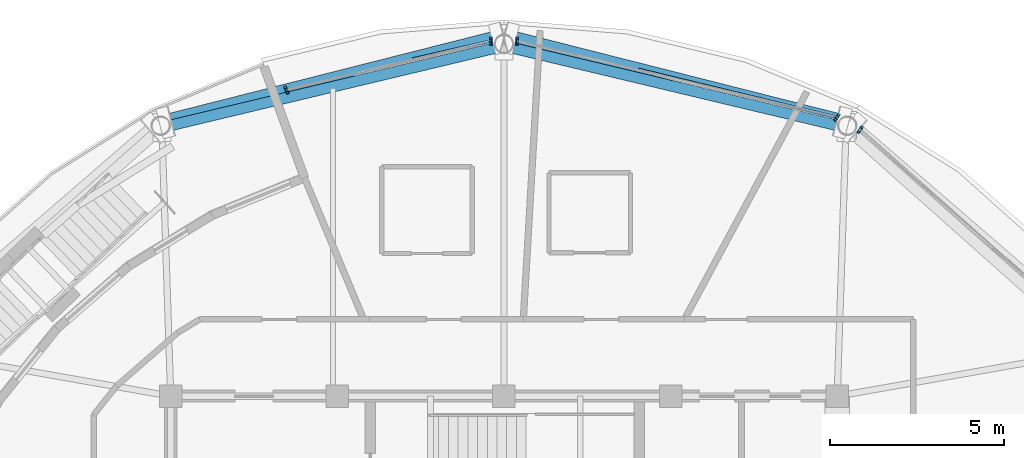
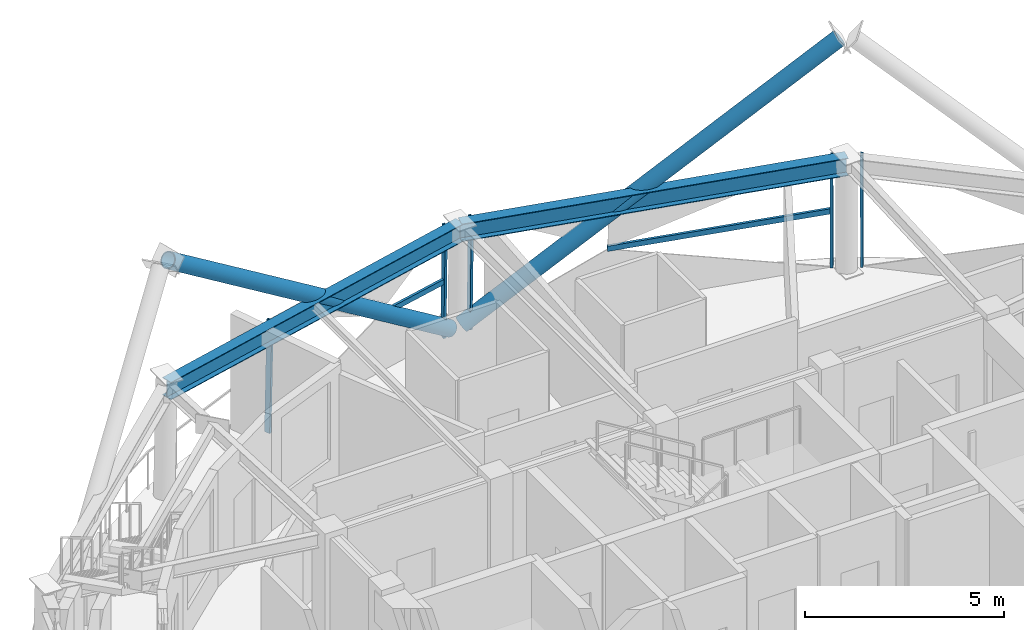
# One storey, part 5 of 16: 9 members, 2 beams, 3 elements without a shape of their own.
"""IFC4 building model written with IfcOpenShell, lengths in metres."""

import ifcopenshell
import ifcopenshell.guid

model = None  # the IFC model being written
_history = None  # IfcOwnerHistory: only IFC2X3 demands one
_inside = {}  # id of a spatial element -> (the spatial element, [elements in it])
_under = {}  # id of a project, library or spatial element -> (it, [spatial elements below it])
_declared = {}  # id of a project -> (the project, [libraries it declares])
_typed = {}  # id of a type object -> (the type object, [elements of that type])
_made_of = {}  # id of a material, layer set ... -> (it, [elements and type objects made of it])


def new_model(schema):
    """Start an empty IFC model of exactly this schema.

    Asked for "IFC4X3", IfcOpenShell would pick the latest addendum, in which some entities
    have other attributes; the version numbers below select the first issue.
    IFC2X3 requires an IfcOwnerHistory on every rooted entity: one is made here for all.
    """
    global model, _history
    if schema == "IFC4X3":
        model = ifcopenshell.file(schema_version=(4, 3, 0, 0))
    else:
        model = ifcopenshell.file(schema=schema)
    _inside.clear()
    _under.clear()
    _declared.clear()
    _typed.clear()
    _made_of.clear()
    _history = None
    if model.schema == "IFC2X3":
        org = make("IfcOrganization", Name="unknown")
        user = make(
            "IfcPersonAndOrganization",
            ThePerson=make("IfcPerson", FamilyName="unknown"),
            TheOrganization=org,
        )
        app = make(
            "IfcApplication",
            ApplicationDeveloper=org,
            Version="unknown",
            ApplicationFullName="unknown",
            ApplicationIdentifier="unknown",
        )
        _history = make(
            "IfcOwnerHistory",
            OwningUser=user,
            OwningApplication=app,
            ChangeAction="ADDED",
            CreationDate=0,
        )
    return model


def make(cls, **values):
    """One entity of the class cls with the attributes given. An attribute that is None is left unset."""
    return model.create_entity(
        cls, **{name: value for name, value in values.items() if value is not None}
    )


def rooted(cls, **values):
    """An entity with a GlobalId (a new one), such as an element, a storey or a relation."""
    return make(cls, GlobalId=ifcopenshell.guid.new(), OwnerHistory=_history, **values)


def si_unit(unit_type, name, prefix=None):
    """IfcSIUnit, for example si_unit("LENGTHUNIT", "METRE", prefix="MILLI")."""
    return make("IfcSIUnit", UnitType=unit_type, Prefix=prefix, Name=name)


def assignment(units):
    """IfcUnitAssignment: the units of a project."""
    return None if units is None else make("IfcUnitAssignment", Units=units)


def point(xyz):
    """IfcCartesianPoint."""
    return None if xyz is None else make("IfcCartesianPoint", Coordinates=xyz)


def direction(xyz):
    """IfcDirection."""
    return None if xyz is None else make("IfcDirection", DirectionRatios=xyz)


def frame(location, z_axis=None, x_axis=None):
    """IfcAxis2Placement3D, a coordinate frame: its origin and axes. An axis left out is left unset."""
    return make(
        "IfcAxis2Placement3D",
        Location=point(location),
        Axis=direction(z_axis),
        RefDirection=direction(x_axis),
    )


def frame_2d(location, x_axis=None):
    """IfcAxis2Placement2D, a coordinate frame in the plane: its origin and x axis."""
    return make(
        "IfcAxis2Placement2D", Location=point(location), RefDirection=direction(x_axis)
    )


def origin():
    """The frame at (0, 0, 0) with its axes left unset."""
    return frame((0.0, 0.0, 0.0))


def origin_2d():
    """The frame at (0, 0) in the plane with its x axis left unset."""
    return frame_2d((0.0, 0.0))


def place(relative_to, where):
    """IfcLocalPlacement: puts the frame where relative to a parent placement (None: the world)."""
    return make(
        "IfcLocalPlacement", PlacementRelTo=relative_to, RelativePlacement=where
    )


def context(
    kind, dimensions, precision=None, world=None, true_north=None, identifier=None
):
    """IfcGeometricRepresentationContext, for example the 3D "Model" context."""
    return make(
        "IfcGeometricRepresentationContext",
        ContextIdentifier=identifier,
        ContextType=kind,
        CoordinateSpaceDimension=dimensions,
        Precision=precision,
        WorldCoordinateSystem=world,
        TrueNorth=true_north,
    )


def subcontext(parent, identifier, kind, view, scale=None):
    """IfcGeometricRepresentationSubContext, for example "Body" below "Model"."""
    return make(
        "IfcGeometricRepresentationSubContext",
        ContextIdentifier=identifier,
        ContextType=kind,
        ParentContext=parent,
        TargetScale=scale,
        TargetView=view,
    )


def project(units=None, contexts=None):
    """IfcProject with its units and contexts."""
    return rooted(
        "IfcProject",
        Name="project",
        RepresentationContexts=contexts,
        UnitsInContext=assignment(units),
    )


def spatial(cls, under=None, at=None, **own):
    """A site, building, storey or space (cls), placed at a placement, below another one or the project."""
    s = rooted(cls, ObjectPlacement=at, **own)
    if under is not None:
        _under.setdefault(under.id(), (under, []))[1].append(s)
    return s


def profile(cls, at=None, kind="AREA", **sizes):
    """A parametric profile (cls). Its sizes go by their IFC names, for example OverallWidth=200.0."""
    return make(cls, ProfileType=kind, Position=at, **sizes)


def hollow_rectangle(**sizes):
    """IfcRectangleHollowProfileDef."""
    return profile("IfcRectangleHollowProfileDef", **sizes)


def hollow_circle(**sizes):
    """IfcCircleHollowProfileDef."""
    return profile("IfcCircleHollowProfileDef", **sizes)


def i_section(**sizes):
    """IfcIShapeProfileDef."""
    return profile("IfcIShapeProfileDef", **sizes)


def extrude(swept, where, along, depth):
    """IfcExtrudedAreaSolid: the profile swept, set in the frame where, extruded along a direction by depth."""
    return make(
        "IfcExtrudedAreaSolid",
        SweptArea=swept,
        Position=where,
        ExtrudedDirection=direction(along),
        Depth=depth,
    )


def shape(context_of_items, identifier, shape_type, items):
    """IfcShapeRepresentation: the items that make up one representation, for example the "Body"."""
    return make(
        "IfcShapeRepresentation",
        ContextOfItems=context_of_items,
        RepresentationIdentifier=identifier,
        RepresentationType=shape_type,
        Items=items,
    )


def material(Name=None, Category=None):
    """IfcMaterial."""
    return make("IfcMaterial", Name=Name, Category=Category)


def layer(
    of_material, thickness, ventilated=None, Name=None, Category=None, Priority=None
):
    """IfcMaterialLayer: one layer of a wall or slab, of a material (None: an air gap)."""
    return make(
        "IfcMaterialLayer",
        Material=of_material,
        LayerThickness=thickness,
        IsVentilated=ventilated,
        Name=Name,
        Category=Category,
        Priority=Priority,
    )


def layer_set(layers, Name=None):
    """IfcMaterialLayerSet."""
    return make("IfcMaterialLayerSet", MaterialLayers=layers, LayerSetName=Name)


def material_profile(
    of_material, cross_section, Name=None, Category=None, Priority=None
):
    """IfcMaterialProfile: a cross section and its material."""
    return make(
        "IfcMaterialProfile",
        Name=Name,
        Material=of_material,
        Profile=cross_section,
        Priority=Priority,
        Category=Category,
    )


def profile_set(profiles, Name=None, composite=None):
    """IfcMaterialProfileSet."""
    return make(
        "IfcMaterialProfileSet",
        Name=Name,
        MaterialProfiles=profiles,
        CompositeProfile=composite,
    )


def made_of(thing, what):
    """Note that an element or type object is made of a material, layer set ...; save() writes the relation."""
    if what is not None:
        _made_of.setdefault(what.id(), (what, []))[1].append(thing)
    return thing


def type_object(cls, material=None, **own):
    """A type object (cls), such as IfcWallType, which elements share."""
    return made_of(rooted(cls, **own), material)


def element(
    cls,
    number,
    at=None,
    inside=None,
    cuts=None,
    type_object=None,
    material=None,
    context=None,
    identifier="Body",
    shape_type=None,
    held_by="IfcProductDefinitionShape",
    body=None,
    shapes=None,
    **own,
):
    """One element of the class cls, such as IfcWall. Its Tag is "e" and its number.

    at: its placement. inside: the storey or other place that contains it. cuts: it is an
    opening in that element (IfcRelVoidsElement). A single representation is given by context,
    identifier, shape_type and body (its items); several are given by shapes. held_by: the class
    of the entity that holds the representations. save() writes the other relations.
    """
    e = rooted(cls, Tag="e%d" % number, ObjectPlacement=at, **own)
    if body is not None:
        shapes = [shape(context, identifier, shape_type, body)]
    if shapes is not None:
        e.Representation = make(held_by, Representations=shapes)
    if inside is not None:
        _inside.setdefault(inside.id(), (inside, []))[1].append(e)
    if cuts is not None:
        rooted(
            "IfcRelVoidsElement", RelatingBuildingElement=cuts, RelatedOpeningElement=e
        )
    if type_object is not None:
        _typed.setdefault(type_object.id(), (type_object, []))[1].append(e)
    return made_of(e, material)


def aggregate(whole, parts):
    """IfcRelAggregates: a whole, such as a stair, and the parts it consists of."""
    return rooted("IfcRelAggregates", RelatingObject=whole, RelatedObjects=parts)


def save(model, path):
    """Write the relations noted so far, then the file.

    IfcRelAggregates (storeys below a building ...), IfcRelContainedInSpatialStructure (elements
    in a storey), IfcRelDefinesByType, IfcRelAssociatesMaterial and IfcRelDeclares: one each for
    every whole, place, type object, material and project.
    """
    for whole, parts in _under.values():
        aggregate(whole, parts)
    for where, things in _inside.values():
        rooted(
            "IfcRelContainedInSpatialStructure",
            RelatedElements=things,
            RelatingStructure=where,
        )
    for kind, things in _typed.values():
        rooted("IfcRelDefinesByType", RelatedObjects=things, RelatingType=kind)
    for what, things in _made_of.values():
        rooted("IfcRelAssociatesMaterial", RelatedObjects=things, RelatingMaterial=what)
    for by, libraries in _declared.values():
        rooted("IfcRelDeclares", RelatingContext=by, RelatedDefinitions=libraries)
    model.write(path)


model = new_model("IFC4")

# Units and contexts
model_context = context("Model", 3, precision=1e-05, world=origin(), true_north=direction((0.0, 1.0)))
body_context = subcontext(model_context, "Body", "Model", "MODEL_VIEW")
ifc_project = project(units=[si_unit("LENGTHUNIT", "METRE"), si_unit("AREAUNIT", "SQUARE_METRE"), si_unit("VOLUMEUNIT", "CUBIC_METRE"), si_unit("PLANEANGLEUNIT", "RADIAN"), si_unit("MASSUNIT", "GRAM", prefix="KILO")], contexts=[model_context])

# Site, building, storey
site_placement = place(None, origin())
site = spatial("IfcSite", under=ifc_project, at=site_placement, CompositionType="ELEMENT")
building_placement = place(site_placement, origin())
building = spatial("IfcBuilding", under=site, at=building_placement, Name="Vantalir Tower", CompositionType="ELEMENT")
storey_placement = place(building_placement, frame((0.0, 0.0, 267.60009765625)))
storey = spatial("IfcBuildingStorey", under=building, at=storey_placement, Name="L67", CompositionType="ELEMENT", Elevation=267.60009765625)

# Beams
ifc_material_1 = material(Name="Steel S460", Category="steel")
ifc_material_profile_1 = material_profile(ifc_material_1, i_section(OverallWidth=0.31201171875, OverallDepth=0.5419921875, WebThickness=0.0126953125, FlangeThickness=0.020263671875, at=origin_2d()), Name="Steel S460")
ifc_profile_set_1 = profile_set([ifc_material_profile_1], Name="Steel S460")
beam_type = type_object("IfcBeamType", Name="BM-RG-533x312", PredefinedType="USERDEFINED", material=ifc_profile_set_1)
for number, where, z_axis, x_axis, name in (
    (1, (41.35498046875, 40.18896484375, 3.298828125), (-0.97272444979, 0.23196367125, 0.0), (-0.23196367125, -0.97272444979, 0.0), "L67 Circumferential Ring Girder 03"),
    (2, (31.5, 42.5390625, 3.298828125), (-0.97272444979, -0.23196367125, 0.0), (0.23196367125, -0.97272444979, 0.0), "L67 Circumferential Ring Girder 04"),
):
    element("IfcBeam", number, at=place(storey_placement, frame(where, z_axis=z_axis, x_axis=x_axis)), inside=storey, type_object=beam_type, Name=name, ObjectType="GIRDER", PredefinedType="USERDEFINED", context=body_context, shape_type="SweptSolid", body=[
        extrude(i_section(OverallWidth=0.31201171875, OverallDepth=0.5419921875, WebThickness=0.0126953125, FlangeThickness=0.020263671875, at=origin_2d()), origin(), (0.0, 0.0, 1.0), 10.13134765625),
    ])

# Curtain wall, member
ifc_material_2 = material(Name="Champagne-silver PVDF aluminium and double-silver Low-E glass", Category="aluminium")
ifc_layer = layer(ifc_material_2, 0.219970703125)
ifc_layer_set = layer_set([ifc_layer], Name="Champagne-silver PVDF aluminium and double-silver Low-E glass")
curtain_wall_type = type_object("IfcCurtainWallType", Name="CW-DIAMOND-Z4", PredefinedType="USERDEFINED", material=ifc_layer_set)
curtain_wall_1_placement = place(storey_placement, origin())
curtain_wall_1 = element("IfcCurtainWall", 3, at=curtain_wall_1_placement, inside=storey, type_object=curtain_wall_type, Name="L67 Quilted Pyramid-Diamond Curtain Wall S02", ObjectType="UNITISED CURTAIN WALL", PredefinedType="USERDEFINED")
ifc_material_3 = material(Name="Champagne-silver PVDF aluminium 6063-T6", Category="aluminium")
ifc_material_profile_2 = material_profile(ifc_material_3, hollow_rectangle(XDim=0.070068359375, YDim=0.1650390625, WallThickness=0.00390625, at=origin_2d()), Name="Champagne-silver PVDF aluminium 6063-T6")
ifc_profile_set_2 = profile_set([ifc_material_profile_2], Name="Champagne-silver PVDF aluminium 6063-T6")
member_type_1 = type_object("IfcMemberType", Name="CWM-165x70", PredefinedType="MULLION", material=ifc_profile_set_2)
member_1_placement = place(storey_placement, frame((41.781005859375, 40.156982421875, 0.044921875), z_axis=(-0.011502954924, -0.017815552138, 0.999775118779), x_axis=(0.840102178973, -0.54242817855, 0.0)))
member_1 = element("IfcMember", 4, at=member_1_placement, type_object=member_type_1, Name="CW-L67-S02 Mullion 2", PredefinedType="MULLION", context=body_context, shape_type="SweptSolid", body=[
    extrude(hollow_rectangle(XDim=0.070068359375, YDim=0.1650390625, WallThickness=0.00390625, at=origin_2d()), origin(), (0.0, 0.0, 1.0), 3.480712890625),
])
aggregate(curtain_wall_1, [member_1])

# Curtain wall, members
curtain_wall_2_placement = place(storey_placement, origin())
curtain_wall_2 = element("IfcCurtainWall", 5, at=curtain_wall_2_placement, inside=storey, type_object=curtain_wall_type, Name="L67 Quilted Pyramid-Diamond Curtain Wall S03", ObjectType="UNITISED CURTAIN WALL", PredefinedType="USERDEFINED")
member_2_placement = place(storey_placement, frame((41.111083984375, 40.507080078125, 0.044921875), z_axis=(-0.011502954924, -0.017815552138, 0.999775118779), x_axis=(0.840102178973, -0.54242817855, 0.0)))
member_2 = element("IfcMember", 6, at=member_2_placement, type_object=member_type_1, Name="CW-L67-S03 Mullion 1", PredefinedType="MULLION", context=body_context, shape_type="SweptSolid", body=[
    extrude(hollow_rectangle(XDim=0.070068359375, YDim=0.1650390625, WallThickness=0.00390625, at=origin_2d()), origin(), (0.0, 0.0, 1.0), 3.480712890625),
])
member_3_placement = place(storey_placement, frame((31.87890625, 42.7099609375, 0.044921875), z_axis=(0.0, -0.020691514155, 0.999785907703), x_axis=(1.0, 0.0, 0.0)))
member_3 = element("IfcMember", 7, at=member_3_placement, type_object=member_type_1, Name="CW-L67-S03 Mullion 2", PredefinedType="MULLION", context=body_context, shape_type="SweptSolid", body=[
    extrude(hollow_rectangle(XDim=0.070068359375, YDim=0.1650390625, WallThickness=0.00390625, at=origin_2d()), origin(), (0.0, 0.0, 1.0), 3.480712890625),
])

curtain_wall_3_placement = place(storey_placement, origin())
curtain_wall_3 = element("IfcCurtainWall", 8, at=curtain_wall_3_placement, inside=storey, type_object=curtain_wall_type, Name="L67 Quilted Pyramid-Diamond Curtain Wall S04", ObjectType="UNITISED CURTAIN WALL", PredefinedType="USERDEFINED")
member_4_placement = place(storey_placement, frame((31.12109375, 42.7099609375, 0.044921875), z_axis=(0.0, -0.020691514155, 0.999785907703), x_axis=(1.0, 0.0, 0.0)))
member_4 = element("IfcMember", 9, at=member_4_placement, type_object=member_type_1, Name="CW-L67-S04 Mullion 1", PredefinedType="MULLION", context=body_context, shape_type="SweptSolid", body=[
    extrude(hollow_rectangle(XDim=0.070068359375, YDim=0.1650390625, WallThickness=0.00390625, at=origin_2d()), origin(), (0.0, 0.0, 1.0), 3.480712890625),
])
member_5_placement = place(storey_placement, frame((25.218994140625, 41.302001953125, 0.044921875), z_axis=(0.00778565513, -0.018938080046, 0.999790344371), x_axis=(0.924890782271, 0.380232877156, 0.0)))
member_5 = element("IfcMember", 10, at=member_5_placement, type_object=member_type_1, Name="CW-L67-S04 Mullion 2", PredefinedType="MULLION", context=body_context, shape_type="SweptSolid", body=[
    extrude(hollow_rectangle(XDim=0.070068359375, YDim=0.1650390625, WallThickness=0.00390625, at=origin_2d()), origin(), (0.0, 0.0, 1.0), 3.480712890625),
])

# Member
ifc_material_profile_3 = material_profile(ifc_material_3, hollow_rectangle(XDim=0.074951171875, YDim=0.159912109375, WallThickness=0.00390625, at=origin_2d()), Name="Champagne-silver PVDF aluminium 6063-T6")
ifc_profile_set_3 = profile_set([ifc_material_profile_3], Name="Champagne-silver PVDF aluminium 6063-T6")
member_type_2 = type_object("IfcMemberType", Name="CWT-160x75", PredefinedType="USERDEFINED", material=ifc_profile_set_3)
member_6_placement = place(storey_placement, frame((41.091064453125, 40.47607421875, 1.784912109375), z_axis=(-0.971744713119, 0.236034346071, 0.0), x_axis=(-0.236034346071, -0.971744713119, 0.0)))
member_6 = element("IfcMember", 11, at=member_6_placement, type_object=member_type_2, Name="CW-L67-S03 Pyramid Fold Ridge Transom", ObjectType="TRANSOM", PredefinedType="USERDEFINED", context=body_context, shape_type="SweptSolid", body=[
    extrude(hollow_rectangle(XDim=0.074951171875, YDim=0.159912109375, WallThickness=0.00390625, at=origin_2d()), origin(), (0.0, 0.0, 1.0), 5.8720703125),
])

aggregate(curtain_wall_2, [member_2, member_3, member_6])

member_7_placement = place(storey_placement, frame((31.12109375, 42.674072265625, 1.784912109375), z_axis=(-0.97507230286, -0.221887368265, 0.0), x_axis=(0.221887368265, -0.97507230286, 0.0)))
member_7 = element("IfcMember", 12, at=member_7_placement, type_object=member_type_2, Name="CW-L67-S04 Pyramid Fold Ridge Transom", ObjectType="TRANSOM", PredefinedType="USERDEFINED", context=body_context, shape_type="SweptSolid", body=[
    extrude(hollow_rectangle(XDim=0.074951171875, YDim=0.159912109375, WallThickness=0.00390625, at=origin_2d()), origin(), (0.0, 0.0, 1.0), 2.298583984375),
])

aggregate(curtain_wall_3, [member_4, member_5, member_7])

# Members
ifc_material_profile_4 = material_profile(ifc_material_1, hollow_circle(Radius=0.22998046875, WallThickness=0.028076171875, at=origin_2d()), Name="Steel S460")
ifc_profile_set_4 = profile_set([ifc_material_profile_4], Name="Steel S460")
member_type_3 = type_object("IfcMemberType", Name="MEM-DB-460x28", PredefinedType="BRACE", material=ifc_profile_set_4)
for number, where, z_axis, x_axis, name in (
    (13, (31.324951171875, 42.757080078125, 0.205810546875), (-0.793974625356, -0.201078869188, 0.573734766819), (0.245505207396, -0.969395271879, 0.0), "L67 Perimeter S460 Diagrid Brace R10L"),
    (14, (31.675048828125, 42.757080078125, 0.205810546875), (0.793974625356, -0.201078869188, 0.573734766819), (0.245505207396, 0.969395271879, 0.0), "L67 Perimeter S460 Diagrid Brace R10R"),
):
    element("IfcMember", number, at=place(storey_placement, frame(where, z_axis=z_axis, x_axis=x_axis)), inside=storey, type_object=member_type_3, Name=name, PredefinedType="BRACE", context=body_context, shape_type="SweptSolid", body=[
        extrude(hollow_circle(Radius=0.22998046875, WallThickness=0.028076171875, at=origin_2d()), origin(), (0.0, 0.0, 1.0), 12.040771484375),
    ])

save(model, "model.ifc")
